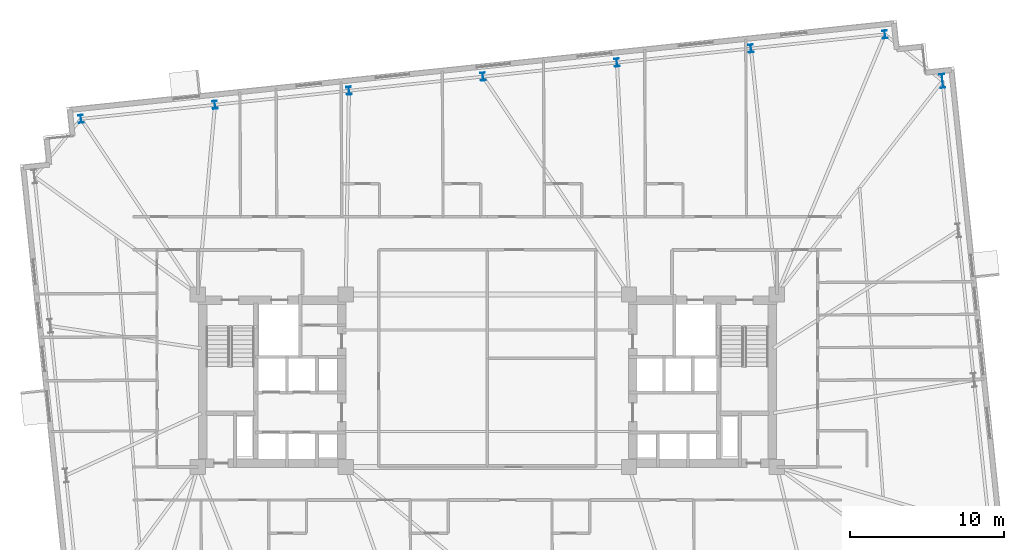
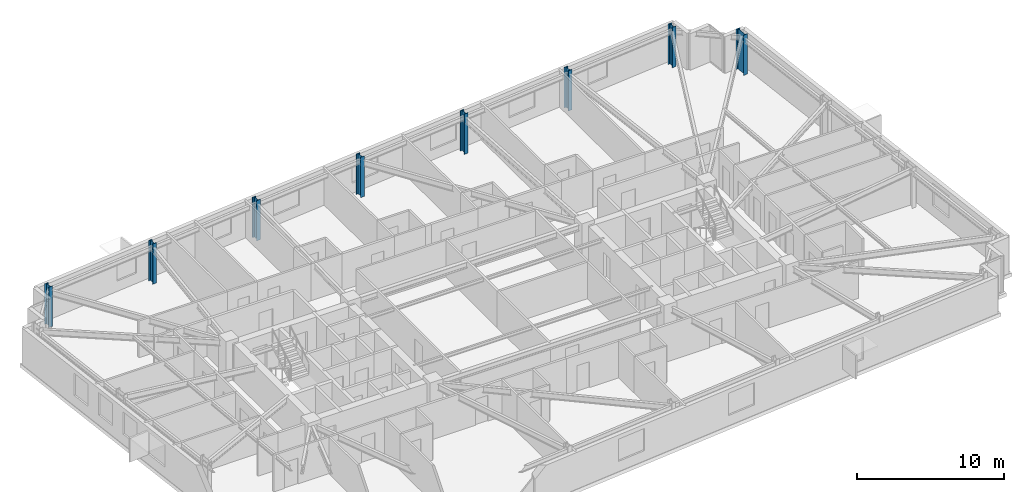
# One storey, part 3 of 19: 8 columns.
"""IFC4 building model written with IfcOpenShell, lengths in metres."""

import ifcopenshell
import ifcopenshell.guid

model = None  # the IFC model being written
_history = None  # IfcOwnerHistory: only IFC2X3 demands one
_inside = {}  # id of a spatial element -> (the spatial element, [elements in it])
_under = {}  # id of a project, library or spatial element -> (it, [spatial elements below it])
_declared = {}  # id of a project -> (the project, [libraries it declares])
_typed = {}  # id of a type object -> (the type object, [elements of that type])
_made_of = {}  # id of a material, layer set ... -> (it, [elements and type objects made of it])


def new_model(schema):
    """Start an empty IFC model of exactly this schema.

    Asked for "IFC4X3", IfcOpenShell would pick the latest addendum, in which some entities
    have other attributes; the version numbers below select the first issue.
    IFC2X3 requires an IfcOwnerHistory on every rooted entity: one is made here for all.
    """
    global model, _history
    if schema == "IFC4X3":
        model = ifcopenshell.file(schema_version=(4, 3, 0, 0))
    else:
        model = ifcopenshell.file(schema=schema)
    _inside.clear()
    _under.clear()
    _declared.clear()
    _typed.clear()
    _made_of.clear()
    _history = None
    if model.schema == "IFC2X3":
        org = make("IfcOrganization", Name="unknown")
        user = make(
            "IfcPersonAndOrganization",
            ThePerson=make("IfcPerson", FamilyName="unknown"),
            TheOrganization=org,
        )
        app = make(
            "IfcApplication",
            ApplicationDeveloper=org,
            Version="unknown",
            ApplicationFullName="unknown",
            ApplicationIdentifier="unknown",
        )
        _history = make(
            "IfcOwnerHistory",
            OwningUser=user,
            OwningApplication=app,
            ChangeAction="ADDED",
            CreationDate=0,
        )
    return model


def make(cls, **values):
    """One entity of the class cls with the attributes given. An attribute that is None is left unset."""
    return model.create_entity(
        cls, **{name: value for name, value in values.items() if value is not None}
    )


def rooted(cls, **values):
    """An entity with a GlobalId (a new one), such as an element, a storey or a relation."""
    return make(cls, GlobalId=ifcopenshell.guid.new(), OwnerHistory=_history, **values)


def si_unit(unit_type, name, prefix=None):
    """IfcSIUnit, for example si_unit("LENGTHUNIT", "METRE", prefix="MILLI")."""
    return make("IfcSIUnit", UnitType=unit_type, Prefix=prefix, Name=name)


def assignment(units):
    """IfcUnitAssignment: the units of a project."""
    return None if units is None else make("IfcUnitAssignment", Units=units)


def point(xyz):
    """IfcCartesianPoint."""
    return None if xyz is None else make("IfcCartesianPoint", Coordinates=xyz)


def direction(xyz):
    """IfcDirection."""
    return None if xyz is None else make("IfcDirection", DirectionRatios=xyz)


def frame(location, z_axis=None, x_axis=None):
    """IfcAxis2Placement3D, a coordinate frame: its origin and axes. An axis left out is left unset."""
    return make(
        "IfcAxis2Placement3D",
        Location=point(location),
        Axis=direction(z_axis),
        RefDirection=direction(x_axis),
    )


def frame_2d(location, x_axis=None):
    """IfcAxis2Placement2D, a coordinate frame in the plane: its origin and x axis."""
    return make(
        "IfcAxis2Placement2D", Location=point(location), RefDirection=direction(x_axis)
    )


def origin():
    """The frame at (0, 0, 0) with its axes left unset."""
    return frame((0.0, 0.0, 0.0))


def origin_2d():
    """The frame at (0, 0) in the plane with its x axis left unset."""
    return frame_2d((0.0, 0.0))


def place(relative_to, where):
    """IfcLocalPlacement: puts the frame where relative to a parent placement (None: the world)."""
    return make(
        "IfcLocalPlacement", PlacementRelTo=relative_to, RelativePlacement=where
    )


def context(
    kind, dimensions, precision=None, world=None, true_north=None, identifier=None
):
    """IfcGeometricRepresentationContext, for example the 3D "Model" context."""
    return make(
        "IfcGeometricRepresentationContext",
        ContextIdentifier=identifier,
        ContextType=kind,
        CoordinateSpaceDimension=dimensions,
        Precision=precision,
        WorldCoordinateSystem=world,
        TrueNorth=true_north,
    )


def subcontext(parent, identifier, kind, view, scale=None):
    """IfcGeometricRepresentationSubContext, for example "Body" below "Model"."""
    return make(
        "IfcGeometricRepresentationSubContext",
        ContextIdentifier=identifier,
        ContextType=kind,
        ParentContext=parent,
        TargetScale=scale,
        TargetView=view,
    )


def project(units=None, contexts=None):
    """IfcProject with its units and contexts."""
    return rooted(
        "IfcProject",
        Name="project",
        RepresentationContexts=contexts,
        UnitsInContext=assignment(units),
    )


def spatial(cls, under=None, at=None, **own):
    """A site, building, storey or space (cls), placed at a placement, below another one or the project."""
    s = rooted(cls, ObjectPlacement=at, **own)
    if under is not None:
        _under.setdefault(under.id(), (under, []))[1].append(s)
    return s


def profile(cls, at=None, kind="AREA", **sizes):
    """A parametric profile (cls). Its sizes go by their IFC names, for example OverallWidth=200.0."""
    return make(cls, ProfileType=kind, Position=at, **sizes)


def i_section(**sizes):
    """IfcIShapeProfileDef."""
    return profile("IfcIShapeProfileDef", **sizes)


def extrude(swept, where, along, depth):
    """IfcExtrudedAreaSolid: the profile swept, set in the frame where, extruded along a direction by depth."""
    return make(
        "IfcExtrudedAreaSolid",
        SweptArea=swept,
        Position=where,
        ExtrudedDirection=direction(along),
        Depth=depth,
    )


def shape(context_of_items, identifier, shape_type, items):
    """IfcShapeRepresentation: the items that make up one representation, for example the "Body"."""
    return make(
        "IfcShapeRepresentation",
        ContextOfItems=context_of_items,
        RepresentationIdentifier=identifier,
        RepresentationType=shape_type,
        Items=items,
    )


def material(Name=None, Category=None):
    """IfcMaterial."""
    return make("IfcMaterial", Name=Name, Category=Category)


def material_profile(
    of_material, cross_section, Name=None, Category=None, Priority=None
):
    """IfcMaterialProfile: a cross section and its material."""
    return make(
        "IfcMaterialProfile",
        Name=Name,
        Material=of_material,
        Profile=cross_section,
        Priority=Priority,
        Category=Category,
    )


def profile_set(profiles, Name=None, composite=None):
    """IfcMaterialProfileSet."""
    return make(
        "IfcMaterialProfileSet",
        Name=Name,
        MaterialProfiles=profiles,
        CompositeProfile=composite,
    )


def made_of(thing, what):
    """Note that an element or type object is made of a material, layer set ...; save() writes the relation."""
    if what is not None:
        _made_of.setdefault(what.id(), (what, []))[1].append(thing)
    return thing


def type_object(cls, material=None, **own):
    """A type object (cls), such as IfcWallType, which elements share."""
    return made_of(rooted(cls, **own), material)


def element(
    cls,
    number,
    at=None,
    inside=None,
    cuts=None,
    type_object=None,
    material=None,
    context=None,
    identifier="Body",
    shape_type=None,
    held_by="IfcProductDefinitionShape",
    body=None,
    shapes=None,
    **own,
):
    """One element of the class cls, such as IfcWall. Its Tag is "e" and its number.

    at: its placement. inside: the storey or other place that contains it. cuts: it is an
    opening in that element (IfcRelVoidsElement). A single representation is given by context,
    identifier, shape_type and body (its items); several are given by shapes. held_by: the class
    of the entity that holds the representations. save() writes the other relations.
    """
    e = rooted(cls, Tag="e%d" % number, ObjectPlacement=at, **own)
    if body is not None:
        shapes = [shape(context, identifier, shape_type, body)]
    if shapes is not None:
        e.Representation = make(held_by, Representations=shapes)
    if inside is not None:
        _inside.setdefault(inside.id(), (inside, []))[1].append(e)
    if cuts is not None:
        rooted(
            "IfcRelVoidsElement", RelatingBuildingElement=cuts, RelatedOpeningElement=e
        )
    if type_object is not None:
        _typed.setdefault(type_object.id(), (type_object, []))[1].append(e)
    return made_of(e, material)


def aggregate(whole, parts):
    """IfcRelAggregates: a whole, such as a stair, and the parts it consists of."""
    return rooted("IfcRelAggregates", RelatingObject=whole, RelatedObjects=parts)


def save(model, path):
    """Write the relations noted so far, then the file.

    IfcRelAggregates (storeys below a building ...), IfcRelContainedInSpatialStructure (elements
    in a storey), IfcRelDefinesByType, IfcRelAssociatesMaterial and IfcRelDeclares: one each for
    every whole, place, type object, material and project.
    """
    for whole, parts in _under.values():
        aggregate(whole, parts)
    for where, things in _inside.values():
        rooted(
            "IfcRelContainedInSpatialStructure",
            RelatedElements=things,
            RelatingStructure=where,
        )
    for kind, things in _typed.values():
        rooted("IfcRelDefinesByType", RelatedObjects=things, RelatingType=kind)
    for what, things in _made_of.values():
        rooted("IfcRelAssociatesMaterial", RelatedObjects=things, RelatingMaterial=what)
    for by, libraries in _declared.values():
        rooted("IfcRelDeclares", RelatingContext=by, RelatedDefinitions=libraries)
    model.write(path)


model = new_model("IFC4")

# Units and contexts
model_context = context("Model", 3, precision=1e-05, world=origin(), true_north=direction((0.0, 1.0)))
body_context = subcontext(model_context, "Body", "Model", "MODEL_VIEW")
ifc_project = project(units=[si_unit("LENGTHUNIT", "METRE"), si_unit("AREAUNIT", "SQUARE_METRE"), si_unit("VOLUMEUNIT", "CUBIC_METRE"), si_unit("PLANEANGLEUNIT", "RADIAN"), si_unit("MASSUNIT", "GRAM", prefix="KILO")], contexts=[model_context])

# Site, building, storey
site_placement = place(None, origin())
site = spatial("IfcSite", under=ifc_project, at=site_placement, CompositionType="ELEMENT")
building_placement = place(site_placement, origin())
building = spatial("IfcBuilding", under=site, at=building_placement, Name="Qobustan Lattice House", CompositionType="ELEMENT")
storey_placement = place(building_placement, frame((0.0, 0.0, 85.699951171875)))
storey = spatial("IfcBuildingStorey", under=building, at=storey_placement, Name="L23", CompositionType="ELEMENT", Elevation=85.699951171875)

# Columns
ifc_material_1 = material(Name="Steel S355", Category="steel")
ifc_material_profile_1 = material_profile(ifc_material_1, i_section(OverallWidth=0.300048828125, OverallDepth=0.89990234375, WebThickness=0.0185546875, FlangeThickness=0.034912109375, FilletRadius=0.030029296875, at=origin_2d()), Name="HEB900")
ifc_profile_set_1 = profile_set([ifc_material_profile_1], Name="Steel S355")
column_type_1 = type_object("IfcColumnType", Name="COL-ST-HEB900", PredefinedType="COLUMN", material=ifc_profile_set_1)
column_placement = place(storey_placement, frame((29.55615234375, 19.468994140625, 0.0), z_axis=(0.0, 0.0, 1.0), x_axis=(0.994521895368, 0.104528463268, 0.0)))
element("IfcColumn", 1, at=column_placement, inside=storey, type_object=column_type_1, Name="L23 B2 perimeter column E4", PredefinedType="COLUMN", context=body_context, shape_type="SweptSolid", body=[
    extrude(i_section(OverallWidth=0.300048828125, OverallDepth=0.89990234375, WebThickness=0.0185546875, FlangeThickness=0.034912109375, FilletRadius=0.030029296875, at=origin_2d()), origin(), (0.0, 0.0, 1.0), 3.35009765625),
])
ifc_material_2 = material(Name="Steel S355", Category="steel")
ifc_material_profile_2 = material_profile(ifc_material_2, i_section(OverallWidth=0.305908203125, OverallDepth=0.52392578125, WebThickness=0.02099609375, FlangeThickness=0.0400390625, FilletRadius=0.027099609375, at=origin_2d()), Name="HEM500")
ifc_profile_set_2 = profile_set([ifc_material_profile_2], Name="Steel S355")
column_type_2 = type_object("IfcColumnType", Name="COL-ST-HEM500", PredefinedType="COLUMN", material=ifc_profile_set_2)
for number, where, z_axis, x_axis, name in (
    (2, (25.819580078125, 22.4951171875, 0.0), (0.0, 0.0, 1.0), (0.994521895368, 0.104528463268, 0.0), "L23 B2 perimeter column N1"),
    (3, (17.117431640625, 21.580322265625, 0.0), (0.0, 0.0, 1.0), (0.994521895368, 0.104528463268, 0.0), "L23 B2 perimeter column N2"),
    (4, (8.415283203125, 20.665771484375, 0.0), (0.0, 0.0, 1.0), (0.994521895368, 0.104528463268, 0.0), "L23 B2 perimeter column N3"),
    (5, (-0.28662109375, 19.751220703125, 0.0), (0.0, 0.0, 1.0), (0.994521895368, 0.104528463268, 0.0), "L23 B2 perimeter column N4"),
    (6, (-8.98876953125, 18.83642578125, 0.0), (0.0, 0.0, 1.0), (0.994521895368, 0.104528463268, 0.0), "L23 B2 perimeter column N5"),
    (7, (-17.69091796875, 17.921875, 0.0), (0.0, 0.0, 1.0), (0.994521895368, 0.104528463268, 0.0), "L23 B2 perimeter column N6"),
    (8, (-26.392822265625, 17.007080078125, 0.0), (0.0, 0.0, 1.0), (0.994521895368, 0.104528463268, 0.0), "L23 B2 perimeter column N7"),
):
    element("IfcColumn", number, at=place(storey_placement, frame(where, z_axis=z_axis, x_axis=x_axis)), inside=storey, type_object=column_type_2, Name=name, PredefinedType="COLUMN", context=body_context, shape_type="SweptSolid", body=[
        extrude(i_section(OverallWidth=0.305908203125, OverallDepth=0.52392578125, WebThickness=0.02099609375, FlangeThickness=0.0400390625, FilletRadius=0.027099609375, at=origin_2d()), origin(), (0.0, 0.0, 1.0), 3.35009765625),
    ])

save(model, "model.ifc")
